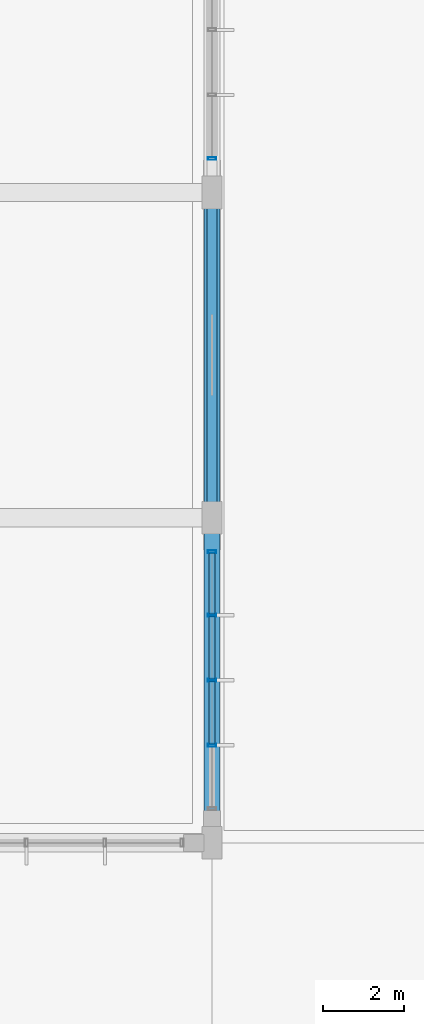
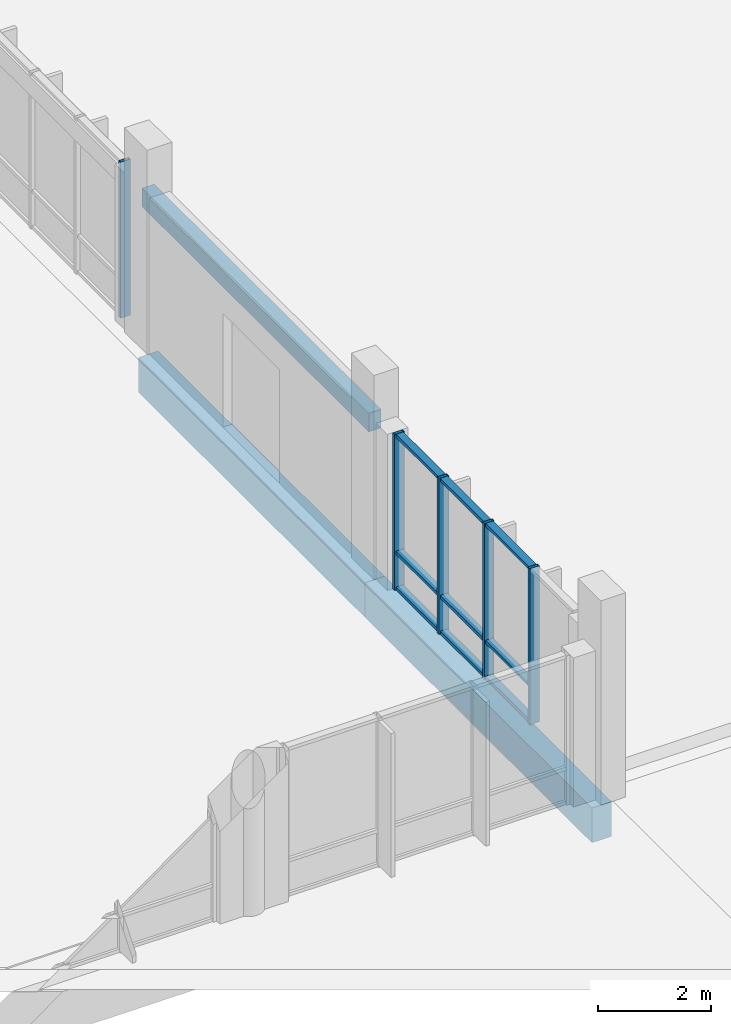
# One storey, part 80 of 233: 14 members, 3 beams, 2 elements without a shape of their own.
"""IFC4 building model written with IfcOpenShell, lengths in metres."""

from ifc_helpers import new_model, si_unit, direction, frame, origin, origin_2d, place, context, subcontext, project, spatial, rectangle, hollow_rectangle, extrude, material, material_profile, profile_set, type_object, element, aggregate, save


model = new_model("IFC4")

# Units and contexts
model_context = context("Model", 3, precision=1e-05, world=origin(), true_north=direction((0.0, 1.0)))
body_context = subcontext(model_context, "Body", "Model", "MODEL_VIEW")
ifc_project = project(units=[si_unit("LENGTHUNIT", "METRE"), si_unit("AREAUNIT", "SQUARE_METRE"), si_unit("VOLUMEUNIT", "CUBIC_METRE"), si_unit("PLANEANGLEUNIT", "RADIAN"), si_unit("MASSUNIT", "GRAM", prefix="KILO")], contexts=[model_context])

# Site, building, storey
site_placement = place(None, origin())
site = spatial("IfcSite", under=ifc_project, at=site_placement, CompositionType="ELEMENT")
building_placement = place(site_placement, origin())
building = spatial("IfcBuilding", under=site, at=building_placement, Name="Zavelmont Quarter", CompositionType="ELEMENT")
storey_placement = place(building_placement, origin())
storey = spatial("IfcBuildingStorey", under=building, at=storey_placement, Name="L00", CompositionType="ELEMENT", Elevation=0.0)

# Beams
ifc_material_1 = material(Name="Concrete C35/45", Category="concrete")
ifc_material_profile_1 = material_profile(ifc_material_1, rectangle(XDim=0.25, YDim=0.39990234375, at=origin_2d()), Name="RC250X400")
ifc_profile_set_1 = profile_set([ifc_material_profile_1], Name="Concrete C35/45")
beam_type_1 = type_object("IfcBeamType", Name="BM04", PredefinedType="LINTEL", material=ifc_profile_set_1)
beam_placement = place(storey_placement, frame((112.800048828125, 38.0, 3.10009765625), z_axis=(0.0, 1.0, 0.0), x_axis=(-1.0, 0.0, 0.0)))
element("IfcBeam", 1, at=beam_placement, inside=storey, type_object=beam_type_1, Name="L00 beam BM04 17/G to 17/H", PredefinedType="LINTEL", context=body_context, shape_type="SweptSolid", body=[
    extrude(rectangle(XDim=0.25, YDim=0.39990234375, at=origin_2d()), origin(), (0.0, 0.0, 1.0), 8.0),
])
ifc_material_2 = material(Name="Concrete C40/50", Category="concrete")
ifc_material_profile_2 = material_profile(ifc_material_2, rectangle(XDim=0.39990234375, YDim=0.75, at=origin_2d()), Name="RC400X750")
ifc_profile_set_2 = profile_set([ifc_material_profile_2], Name="Concrete C40/50")
beam_type_2 = type_object("IfcBeamType", Name="BM05", PredefinedType="BEAM", material=ifc_profile_set_2)
for number, where, z_axis, x_axis, name in (
    (2, (112.800048828125, 30.0, -0.695068359375), (0.0, 1.0, 0.0), (-1.0, 0.0, 0.0), "L00 beam BM05 17/F to 17/G"),
    (3, (112.800048828125, 38.0, -0.695068359375), (0.0, 1.0, 0.0), (-1.0, 0.0, 0.0), "L00 beam BM05 17/G to 17/H"),
):
    element("IfcBeam", number, at=place(storey_placement, frame(where, z_axis=z_axis, x_axis=x_axis)), inside=storey, type_object=beam_type_2, Name=name, PredefinedType="BEAM", context=body_context, shape_type="SweptSolid", body=[
        extrude(rectangle(XDim=0.39990234375, YDim=0.75, at=origin_2d()), origin(), (0.0, 0.0, 1.0), 8.0),
    ])

# Curtain wall, members
ifc_material_3 = material(Name="Thermally broken aluminium and double low-E safety glazing", Category="aluminium")
curtain_wall_type = type_object("IfcCurtainWallType", Name="CW-640X336", PredefinedType="NOTDEFINED", material=ifc_material_3)
curtain_wall_1_placement = place(storey_placement, origin())
curtain_wall_1 = element("IfcCurtainWall", 4, at=curtain_wall_1_placement, inside=storey, type_object=curtain_wall_type, Name="L00 unitised curtain wall CW-640X336", PredefinedType="NOTDEFINED")
ifc_material_4 = material(Name="Powder-coated aluminium EN AW-6063-T6", Category="aluminium")
ifc_material_profile_3 = material_profile(ifc_material_4, hollow_rectangle(XDim=0.070068359375, YDim=0.199951171875, WallThickness=0.0048828125, at=origin_2d()), Name="CWM70X200")
ifc_profile_set_3 = profile_set([ifc_material_profile_3], Name="Powder-coated aluminium EN AW-6063-T6")
member_type_1 = type_object("IfcMemberType", Name="CWM02", PredefinedType="MULLION", material=ifc_profile_set_3)
member_1_placement = place(storey_placement, frame((112.800048828125, 32.39990234375, 0.0), z_axis=(0.0, 0.0, 1.0), x_axis=(0.0, 1.0, 0.0)))
member_1 = element("IfcMember", 5, at=member_1_placement, type_object=member_type_1, Name="CW-640X336 mullion 2", PredefinedType="MULLION", context=body_context, shape_type="SweptSolid", body=[
    extrude(hollow_rectangle(XDim=0.070068359375, YDim=0.199951171875, WallThickness=0.0048828125, at=origin_2d()), origin(), (0.0, 0.0, 1.0), 3.360107421875),
])
member_2_placement = place(storey_placement, frame((112.800048828125, 34.0, 0.0), z_axis=(0.0, 0.0, 1.0), x_axis=(0.0, 1.0, 0.0)))
member_2 = element("IfcMember", 6, at=member_2_placement, type_object=member_type_1, Name="CW-640X336 mullion 3", PredefinedType="MULLION", context=body_context, shape_type="SweptSolid", body=[
    extrude(hollow_rectangle(XDim=0.070068359375, YDim=0.199951171875, WallThickness=0.0048828125, at=origin_2d()), origin(), (0.0, 0.0, 1.0), 3.360107421875),
])
member_3_placement = place(storey_placement, frame((112.800048828125, 35.60009765625, 0.0), z_axis=(0.0, 0.0, 1.0), x_axis=(0.0, 1.0, 0.0)))
member_3 = element("IfcMember", 7, at=member_3_placement, type_object=member_type_1, Name="CW-640X336 mullion 4", PredefinedType="MULLION", context=body_context, shape_type="SweptSolid", body=[
    extrude(hollow_rectangle(XDim=0.070068359375, YDim=0.199951171875, WallThickness=0.0048828125, at=origin_2d()), origin(), (0.0, 0.0, 1.0), 3.360107421875),
])
member_4_placement = place(storey_placement, frame((112.800048828125, 37.1650390625, 0.0), z_axis=(0.0, 0.0, 1.0), x_axis=(0.0, 1.0, 0.0)))
member_4 = element("IfcMember", 8, at=member_4_placement, type_object=member_type_1, Name="CW-640X336 mullion 5", PredefinedType="MULLION", context=body_context, shape_type="SweptSolid", body=[
    extrude(hollow_rectangle(XDim=0.070068359375, YDim=0.199951171875, WallThickness=0.0048828125, at=origin_2d()), origin(), (0.0, 0.0, 1.0), 3.360107421875),
])

# Curtain wall, member
curtain_wall_2_placement = place(storey_placement, origin())
curtain_wall_2 = element("IfcCurtainWall", 9, at=curtain_wall_2_placement, inside=storey, type_object=curtain_wall_type, Name="L00 unitised curtain wall CW-640X336", PredefinedType="NOTDEFINED")
member_5_placement = place(storey_placement, frame((112.800048828125, 46.8349609375, 0.0), z_axis=(0.0, 0.0, 1.0), x_axis=(0.0, 1.0, 0.0)))
member_5 = element("IfcMember", 10, at=member_5_placement, type_object=member_type_1, Name="CW-640X336 mullion 1", PredefinedType="MULLION", context=body_context, shape_type="SweptSolid", body=[
    extrude(hollow_rectangle(XDim=0.070068359375, YDim=0.199951171875, WallThickness=0.0048828125, at=origin_2d()), origin(), (0.0, 0.0, 1.0), 3.360107421875),
])
aggregate(curtain_wall_2, [member_5])

# Member
ifc_material_profile_4 = material_profile(ifc_material_4, hollow_rectangle(XDim=0.14990234375, YDim=0.070068359375, WallThickness=0.00439453125, at=origin_2d()), Name="CWT70X150")
ifc_profile_set_4 = profile_set([ifc_material_profile_4], Name="Powder-coated aluminium EN AW-6063-T6")
member_type_2 = type_object("IfcMemberType", Name="CWT02", PredefinedType="NOTDEFINED", material=ifc_profile_set_4)
member_6_placement = place(storey_placement, frame((112.800048828125, 32.43505859375, 0.034912109375), z_axis=(0.0, 1.0, 0.0), x_axis=(-1.0, 0.0, 0.0)))
member_6 = element("IfcMember", 11, at=member_6_placement, type_object=member_type_2, Name="CW-640X336 transom 2.1", ObjectType="TRANSOM", PredefinedType="USERDEFINED", context=body_context, shape_type="SweptSolid", body=[
    extrude(hollow_rectangle(XDim=0.14990234375, YDim=0.070068359375, WallThickness=0.00439453125, at=origin_2d()), origin(), (0.0, 0.0, 1.0), 1.530029296875),
])

member_7_placement = place(storey_placement, frame((112.800048828125, 32.43505859375, 0.805908203125), z_axis=(0.0, 1.0, 0.0), x_axis=(-1.0, 0.0, 0.0)))
member_7 = element("IfcMember", 12, at=member_7_placement, type_object=member_type_2, Name="CW-640X336 transom 2.2", ObjectType="TRANSOM", PredefinedType="USERDEFINED", context=body_context, shape_type="SweptSolid", body=[
    extrude(hollow_rectangle(XDim=0.14990234375, YDim=0.070068359375, WallThickness=0.00439453125, at=origin_2d()), origin(), (0.0, 0.0, 1.0), 1.530029296875),
])

member_8_placement = place(storey_placement, frame((112.800048828125, 32.43505859375, 3.324951171875), z_axis=(0.0, 1.0, 0.0), x_axis=(-1.0, 0.0, 0.0)))
member_8 = element("IfcMember", 13, at=member_8_placement, type_object=member_type_2, Name="CW-640X336 transom 2.3", ObjectType="TRANSOM", PredefinedType="USERDEFINED", context=body_context, shape_type="SweptSolid", body=[
    extrude(hollow_rectangle(XDim=0.14990234375, YDim=0.070068359375, WallThickness=0.00439453125, at=origin_2d()), origin(), (0.0, 0.0, 1.0), 1.530029296875),
])

member_9_placement = place(storey_placement, frame((112.800048828125, 34.034912109375, 0.034912109375), z_axis=(0.0, 1.0, 0.0), x_axis=(-1.0, 0.0, 0.0)))
member_9 = element("IfcMember", 14, at=member_9_placement, type_object=member_type_2, Name="CW-640X336 transom 3.1", ObjectType="TRANSOM", PredefinedType="USERDEFINED", context=body_context, shape_type="SweptSolid", body=[
    extrude(hollow_rectangle(XDim=0.14990234375, YDim=0.070068359375, WallThickness=0.00439453125, at=origin_2d()), origin(), (0.0, 0.0, 1.0), 1.530029296875),
])

member_10_placement = place(storey_placement, frame((112.800048828125, 34.034912109375, 0.805908203125), z_axis=(0.0, 1.0, 0.0), x_axis=(-1.0, 0.0, 0.0)))
member_10 = element("IfcMember", 15, at=member_10_placement, type_object=member_type_2, Name="CW-640X336 transom 3.2", ObjectType="TRANSOM", PredefinedType="USERDEFINED", context=body_context, shape_type="SweptSolid", body=[
    extrude(hollow_rectangle(XDim=0.14990234375, YDim=0.070068359375, WallThickness=0.00439453125, at=origin_2d()), origin(), (0.0, 0.0, 1.0), 1.530029296875),
])

member_11_placement = place(storey_placement, frame((112.800048828125, 34.034912109375, 3.324951171875), z_axis=(0.0, 1.0, 0.0), x_axis=(-1.0, 0.0, 0.0)))
member_11 = element("IfcMember", 16, at=member_11_placement, type_object=member_type_2, Name="CW-640X336 transom 3.3", ObjectType="TRANSOM", PredefinedType="USERDEFINED", context=body_context, shape_type="SweptSolid", body=[
    extrude(hollow_rectangle(XDim=0.14990234375, YDim=0.070068359375, WallThickness=0.00439453125, at=origin_2d()), origin(), (0.0, 0.0, 1.0), 1.530029296875),
])

member_12_placement = place(storey_placement, frame((112.800048828125, 35.635009765625, 0.034912109375), z_axis=(0.0, 1.0, 0.0), x_axis=(-1.0, 0.0, 0.0)))
member_12 = element("IfcMember", 17, at=member_12_placement, type_object=member_type_2, Name="CW-640X336 transom 4.1", ObjectType="TRANSOM", PredefinedType="USERDEFINED", context=body_context, shape_type="SweptSolid", body=[
    extrude(hollow_rectangle(XDim=0.14990234375, YDim=0.070068359375, WallThickness=0.00439453125, at=origin_2d()), origin(), (0.0, 0.0, 1.0), 1.494873046875),
])

member_13_placement = place(storey_placement, frame((112.800048828125, 35.635009765625, 0.805908203125), z_axis=(0.0, 1.0, 0.0), x_axis=(-1.0, 0.0, 0.0)))
member_13 = element("IfcMember", 18, at=member_13_placement, type_object=member_type_2, Name="CW-640X336 transom 4.2", ObjectType="TRANSOM", PredefinedType="USERDEFINED", context=body_context, shape_type="SweptSolid", body=[
    extrude(hollow_rectangle(XDim=0.14990234375, YDim=0.070068359375, WallThickness=0.00439453125, at=origin_2d()), origin(), (0.0, 0.0, 1.0), 1.494873046875),
])

member_14_placement = place(storey_placement, frame((112.800048828125, 35.635009765625, 3.324951171875), z_axis=(0.0, 1.0, 0.0), x_axis=(-1.0, 0.0, 0.0)))
member_14 = element("IfcMember", 19, at=member_14_placement, type_object=member_type_2, Name="CW-640X336 transom 4.3", ObjectType="TRANSOM", PredefinedType="USERDEFINED", context=body_context, shape_type="SweptSolid", body=[
    extrude(hollow_rectangle(XDim=0.14990234375, YDim=0.070068359375, WallThickness=0.00439453125, at=origin_2d()), origin(), (0.0, 0.0, 1.0), 1.494873046875),
])

aggregate(curtain_wall_1, [member_1, member_2, member_3, member_4, member_6, member_7, member_8, member_9, member_10, member_11, member_12, member_13, member_14])

save(model, "model.ifc")
